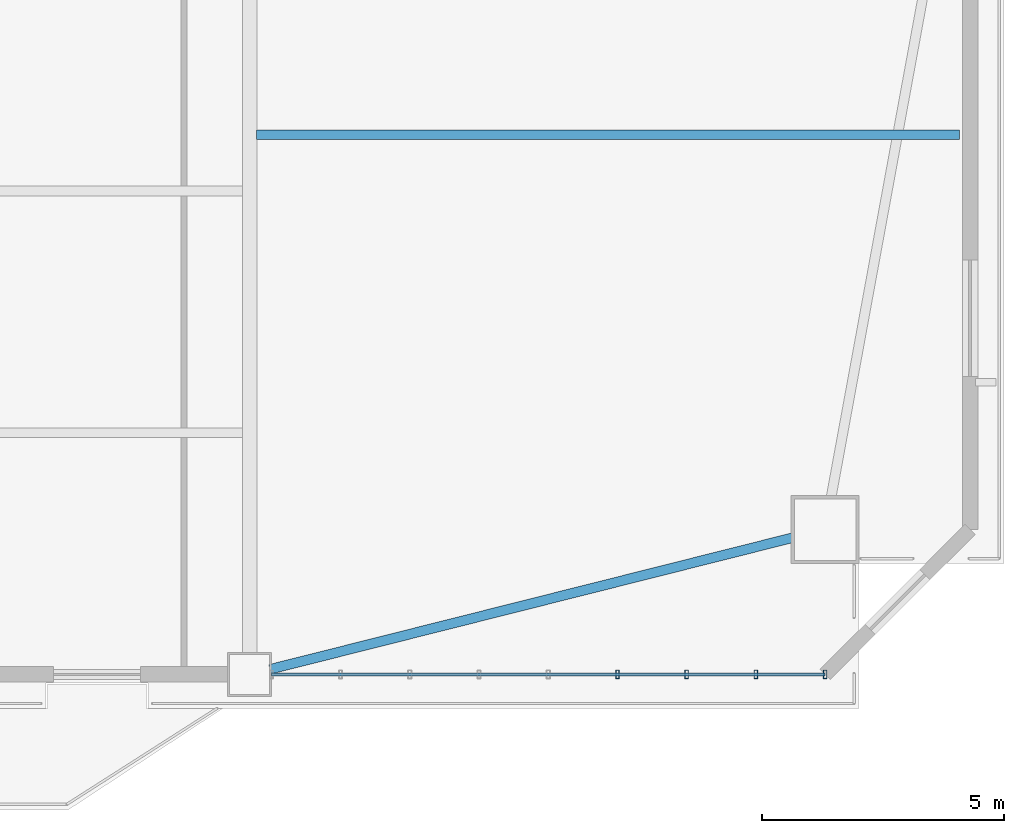
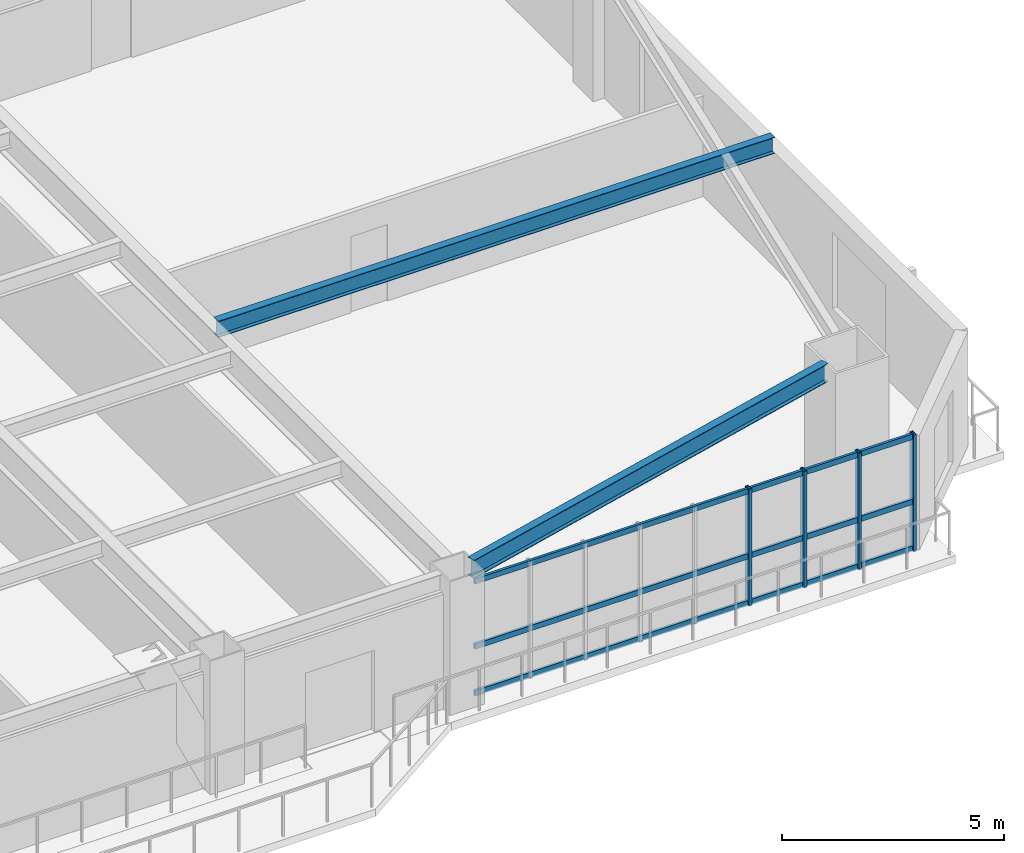
# One storey, part 5 of 15: 7 members, 2 beams, 1 element without a shape of its own.
"""IFC4 building model written with IfcOpenShell, lengths in metres."""

from ifc_helpers import new_model, si_unit, direction, frame, origin, origin_2d, place, context, subcontext, project, spatial, hollow_rectangle, i_section, extrude, source, transform, mapped, material, layer, layer_set, material_profile, profile_set, type_object, element, aggregate, save


model = new_model("IFC4")

# Units and contexts
model_context = context("Model", 3, precision=1e-05, world=origin(), true_north=direction((0.0, 1.0)))
body_context = subcontext(model_context, "Body", "Model", "MODEL_VIEW")
ifc_project = project(units=[si_unit("LENGTHUNIT", "METRE"), si_unit("AREAUNIT", "SQUARE_METRE"), si_unit("VOLUMEUNIT", "CUBIC_METRE"), si_unit("PLANEANGLEUNIT", "RADIAN"), si_unit("MASSUNIT", "GRAM", prefix="KILO")], contexts=[model_context])

# Site, building, storey
site_placement = place(None, origin())
site = spatial("IfcSite", under=ifc_project, at=site_placement, CompositionType="ELEMENT")
building_placement = place(site_placement, origin())
building = spatial("IfcBuilding", under=site, at=building_placement, Name="Giltprow Tower", CompositionType="ELEMENT")
storey_placement = place(building_placement, frame((0.0, 0.0, 123.10009765625)))
storey = spatial("IfcBuildingStorey", under=building, at=storey_placement, Name="L30", CompositionType="ELEMENT", Elevation=123.10009765625)

# Beams
ifc_material_1 = material(Name="Structural steel Q355B", Category="steel")
ifc_material_profile_1 = material_profile(ifc_material_1, i_section(OverallWidth=0.199951171875, OverallDepth=0.5, WebThickness=0.010009765625, FlangeThickness=0.01611328125, at=origin_2d()), Name="HN 500x200x10x16")
ifc_profile_set_1 = profile_set([ifc_material_profile_1], Name="Structural steel Q355B")
beam_type_1 = type_object("IfcBeamType", Name="BM-SPAN-HN500", PredefinedType="SPANDREL", material=ifc_profile_set_1)
shared_shape_1 = source(origin(), body_context, "Body", "SweptSolid", [
    extrude(i_section(OverallWidth=0.199951171875, OverallDepth=0.5, WebThickness=0.010009765625, FlangeThickness=0.01611328125, at=origin_2d()), origin(), (0.0, 0.0, 1.0), 11.131103515625),
])
beam_1_placement = place(storey_placement, frame((50.971923828125, 7.6240234375, 3.429931640625), z_axis=(0.96972953457, 0.244181550864, 0.0), x_axis=(-0.244181550864, 0.96972953457, 0.0)))
element("IfcBeam", 1, at=beam_1_placement, inside=storey, type_object=beam_type_1, Name="L30 Perimeter Spandrel Beam S4-MC_SE", PredefinedType="SPANDREL", context=body_context, shape_type="MappedRepresentation", body=[
    mapped(shared_shape_1, transform((0.0, 0.0, 0.0), x_axis=(1.0, 0.0, 0.0), y_axis=(0.0, 1.0, 0.0), z_axis=(0.0, 0.0, 1.0), scale=1.0)),
])
ifc_material_profile_2 = material_profile(ifc_material_1, i_section(OverallWidth=0.199951171875, OverallDepth=0.449951171875, WebThickness=0.009033203125, FlangeThickness=0.013916015625, at=origin_2d()), Name="HN 450x200x9x14")
ifc_profile_set_2 = profile_set([ifc_material_profile_2], Name="Structural steel Q355B")
beam_type_2 = type_object("IfcBeamType", Name="BM-JOIST-HN450", PredefinedType="JOIST", material=ifc_profile_set_2)
shared_shape_2 = source(origin(), body_context, "Body", "SweptSolid", [
    extrude(i_section(OverallWidth=0.199951171875, OverallDepth=0.449951171875, WebThickness=0.009033203125, FlangeThickness=0.013916015625, at=origin_2d()), origin(), (0.0, 0.0, 1.0), 14.505859375),
])
beam_2_placement = place(storey_placement, frame((50.695068359375, 18.658935546875, 3.454833984375), z_axis=(1.0, 0.0, 0.0), x_axis=(0.0, 1.0, 0.0)))
element("IfcBeam", 2, at=beam_2_placement, inside=storey, type_object=beam_type_2, Name="L30 East Wing Floor Joist 1", PredefinedType="JOIST", context=body_context, shape_type="MappedRepresentation", body=[
    mapped(shared_shape_2, transform((0.0, 0.0, 0.0), x_axis=(1.0, 0.0, 0.0), y_axis=(0.0, 1.0, 0.0), z_axis=(0.0, 0.0, 1.0), scale=1.0)),
])

# Curtain wall, members
ifc_material_2 = material(Name="Anodized bronze", Category="metal")
ifc_layer = layer(ifc_material_2, 0.179931640625, Name="Anodized bronze")
ifc_layer_set = layer_set([ifc_layer], Name="Anodized bronze")
curtain_wall_type = type_object("IfcCurtainWallType", Name="CW-OFF-RECESSED", PredefinedType="NOTDEFINED", material=ifc_layer_set)
curtain_wall_placement = place(storey_placement, origin())
curtain_wall = element("IfcCurtainWall", 3, at=curtain_wall_placement, inside=storey, type_object=curtain_wall_type, Name="L30 South Recessed Curtain Wall 6", PredefinedType="NOTDEFINED")
ifc_material_profile_3 = material_profile(ifc_material_2, hollow_rectangle(XDim=0.074951171875, YDim=0.179931640625, WallThickness=0.008056640625, at=origin_2d()), Name="RHS 180x75x8")
ifc_profile_set_3 = profile_set([ifc_material_profile_3], Name="Anodized bronze")
member_type_1 = type_object("IfcMemberType", Name="CW-MULLION-180x75", PredefinedType="MULLION", material=ifc_profile_set_3)
shared_shape_3 = source(origin(), body_context, "Body", "SweptSolid", [
    extrude(hollow_rectangle(XDim=0.074951171875, YDim=0.179931640625, WallThickness=0.008056640625, at=origin_2d()), origin(), (0.0, 0.0, 1.0), 3.21484375),
])
member_1_placement = place(storey_placement, frame((58.14404296875, 7.51806640625, -0.02001953125), z_axis=(0.0, 0.0, 1.0), x_axis=(1.0, 0.0, 0.0)))
member_1 = element("IfcMember", 4, at=member_1_placement, type_object=member_type_1, Name="L30 South Recessed Curtain Wall 6 Mullion 6", PredefinedType="MULLION", context=body_context, shape_type="MappedRepresentation", body=[
    mapped(shared_shape_3, transform((0.0, 0.0, 0.0), x_axis=(1.0, 0.0, 0.0), y_axis=(0.0, 1.0, 0.0), z_axis=(0.0, 0.0, 1.0), scale=1.0)),
])
member_2_placement = place(storey_placement, frame((59.572021484375, 7.51806640625, -0.02001953125), z_axis=(0.0, 0.0, 1.0), x_axis=(1.0, 0.0, 0.0)))
member_2 = element("IfcMember", 5, at=member_2_placement, type_object=member_type_1, Name="L30 South Recessed Curtain Wall 6 Mullion 7", PredefinedType="MULLION", context=body_context, shape_type="MappedRepresentation", body=[
    mapped(shared_shape_3, transform((0.0, 0.0, 0.0), x_axis=(1.0, 0.0, 0.0), y_axis=(0.0, 1.0, 0.0), z_axis=(0.0, 0.0, 1.0), scale=1.0)),
])
member_3_placement = place(storey_placement, frame((61.0009765625, 7.51806640625, -0.02001953125), z_axis=(0.0, 0.0, 1.0), x_axis=(1.0, 0.0, 0.0)))
member_3 = element("IfcMember", 6, at=member_3_placement, type_object=member_type_1, Name="L30 South Recessed Curtain Wall 6 Mullion 8", PredefinedType="MULLION", context=body_context, shape_type="MappedRepresentation", body=[
    mapped(shared_shape_3, transform((0.0, 0.0, 0.0), x_axis=(1.0, 0.0, 0.0), y_axis=(0.0, 1.0, 0.0), z_axis=(0.0, 0.0, 1.0), scale=1.0)),
])
member_4_placement = place(storey_placement, frame((62.429931640625, 7.51806640625, -0.02001953125), z_axis=(0.0, 0.0, 1.0), x_axis=(1.0, 0.0, 0.0)))
member_4 = element("IfcMember", 7, at=member_4_placement, type_object=member_type_1, Name="L30 South Recessed Curtain Wall 6 Mullion 9", PredefinedType="MULLION", context=body_context, shape_type="MappedRepresentation", body=[
    mapped(shared_shape_3, transform((0.0, 0.0, 0.0), x_axis=(1.0, 0.0, 0.0), y_axis=(0.0, 1.0, 0.0), z_axis=(0.0, 0.0, 1.0), scale=1.0)),
])
ifc_material_profile_4 = material_profile(ifc_material_2, hollow_rectangle(XDim=0.06494140625, YDim=0.14990234375, WallThickness=0.006103515625, at=origin_2d()), Name="RHS 150x65x6")
ifc_profile_set_4 = profile_set([ifc_material_profile_4], Name="Anodized bronze")
member_type_2 = type_object("IfcMemberType", Name="CW-TRANSOM-150x65", PredefinedType="USERDEFINED", material=ifc_profile_set_4)
shared_shape_4 = source(origin(), body_context, "Body", "SweptSolid", [
    extrude(hollow_rectangle(XDim=0.06494140625, YDim=0.14990234375, WallThickness=0.006103515625, at=origin_2d()), origin(), (0.0, 0.0, 1.0), 11.429931640625),
])
member_5_placement = place(storey_placement, frame((51.0, 7.51806640625, 0.039794921875), z_axis=(1.0, 0.0, 0.0), x_axis=(0.0, 1.0, 0.0)))
member_5 = element("IfcMember", 8, at=member_5_placement, type_object=member_type_2, Name="L30 South Recessed Curtain Wall 6 Transom 1", ObjectType="TRANSOM", PredefinedType="USERDEFINED", context=body_context, shape_type="MappedRepresentation", body=[
    mapped(shared_shape_4, transform((0.0, 0.0, 0.0), x_axis=(1.0, 0.0, 0.0), y_axis=(0.0, 1.0, 0.0), z_axis=(0.0, 0.0, 1.0), scale=1.0)),
])
member_6_placement = place(storey_placement, frame((51.0, 7.51806640625, 1.326904296875), z_axis=(1.0, 0.0, 0.0), x_axis=(0.0, 1.0, 0.0)))
member_6 = element("IfcMember", 9, at=member_6_placement, type_object=member_type_2, Name="L30 South Recessed Curtain Wall 6 Transom 2", ObjectType="TRANSOM", PredefinedType="USERDEFINED", context=body_context, shape_type="MappedRepresentation", body=[
    mapped(shared_shape_4, transform((0.0, 0.0, 0.0), x_axis=(1.0, 0.0, 0.0), y_axis=(0.0, 1.0, 0.0), z_axis=(0.0, 0.0, 1.0), scale=1.0)),
])
member_7_placement = place(storey_placement, frame((51.0, 7.51806640625, 3.119873046875), z_axis=(1.0, 0.0, 0.0), x_axis=(0.0, 1.0, 0.0)))
member_7 = element("IfcMember", 10, at=member_7_placement, type_object=member_type_2, Name="L30 South Recessed Curtain Wall 6 Transom 3", ObjectType="TRANSOM", PredefinedType="USERDEFINED", context=body_context, shape_type="MappedRepresentation", body=[
    mapped(shared_shape_4, transform((0.0, 0.0, 0.0), x_axis=(1.0, 0.0, 0.0), y_axis=(0.0, 1.0, 0.0), z_axis=(0.0, 0.0, 1.0), scale=1.0)),
])
aggregate(curtain_wall, [member_1, member_2, member_3, member_4, member_5, member_6, member_7])

save(model, "model.ifc")
